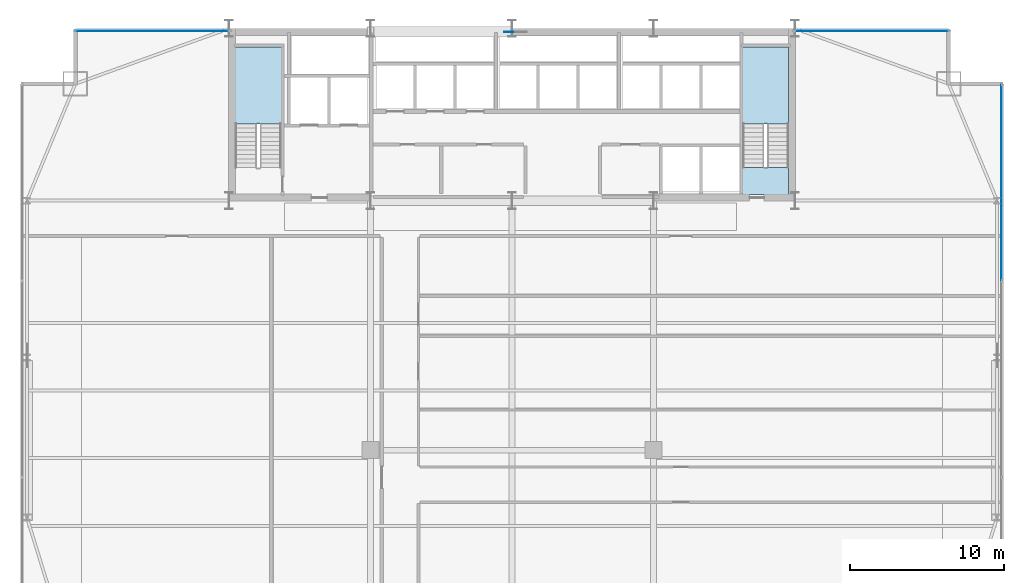
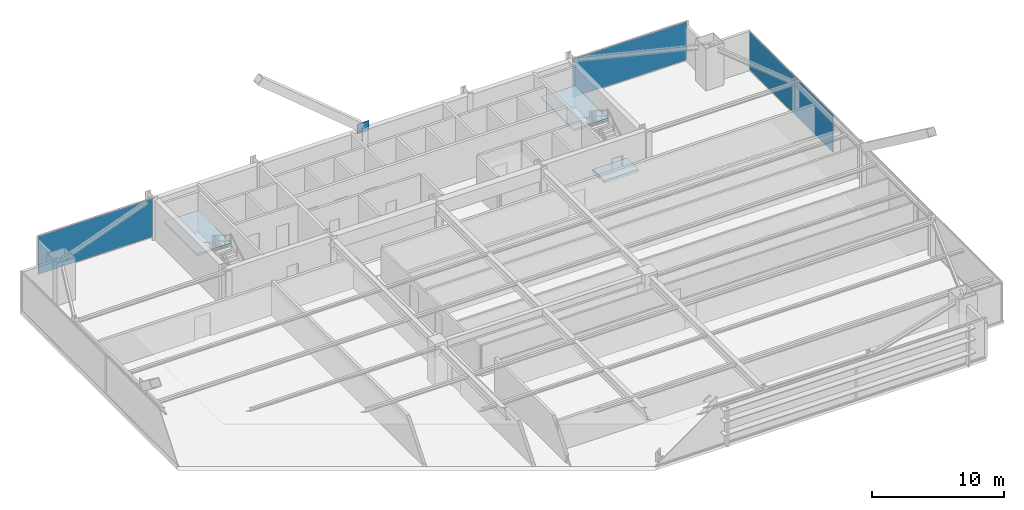
# One storey, part 28 of 35: 4 plates, 3 slabs, 5 elements without a shape of their own.
"""IFC4 building model written with IfcOpenShell, lengths in metres."""

from ifc_helpers import new_model, si_unit, direction, frame, origin, origin_2d, place, context, subcontext, project, spatial, polyline, rectangle, outline, extrude, source, transform, mapped, material, layer, layer_set, type_object, type_shapes, element, aggregate, save


model = new_model("IFC4")

# Units and contexts
model_context = context("Model", 3, precision=1e-05, world=origin(), true_north=direction((0.0, 1.0)))
body_context = subcontext(model_context, "Body", "Model", "MODEL_VIEW")
ifc_project = project(units=[si_unit("LENGTHUNIT", "METRE"), si_unit("AREAUNIT", "SQUARE_METRE"), si_unit("VOLUMEUNIT", "CUBIC_METRE"), si_unit("PLANEANGLEUNIT", "RADIAN"), si_unit("MASSUNIT", "GRAM", prefix="KILO")], contexts=[model_context])

# Site, building, storey
site_placement = place(None, origin())
site = spatial("IfcSite", under=ifc_project, at=site_placement, CompositionType="ELEMENT")
building_placement = place(site_placement, origin())
building = spatial("IfcBuilding", under=site, at=building_placement, Name="Varnel Quay Broadcast Tower", CompositionType="ELEMENT")
storey_placement = place(building_placement, frame((0.0, 0.0, 31.5)))
storey = spatial("IfcBuildingStorey", under=building, at=storey_placement, Name="L06", CompositionType="ELEMENT", Elevation=31.5)

# Slab
ifc_material_1 = material(Name="Concrete CSA A23.3 C50/60", Category="concrete")
ifc_layer_1 = layer(ifc_material_1, 0.25, Name="Concrete CSA A23.3 C50/60")
ifc_layer_set_1 = layer_set([ifc_layer_1], Name="Concrete CSA A23.3 C50/60")
slab_type_1 = type_object("IfcSlabType", Name="Slab_StairFloorLanding250", PredefinedType="FLOOR", material=ifc_layer_set_1)
slab_1_placement = place(storey_placement, frame((0.0, 0.0, -0.25)))
element("IfcSlab", 1, at=slab_1_placement, inside=storey, type_object=slab_type_1, Name="L06 ST-02 Structural Floor Landing Slab", PredefinedType="FLOOR", context=body_context, shape_type="SweptSolid", body=[
    extrude(outline(polyline([(52.0, 36.0), (52.0, 37.75), (49.0, 37.75), (49.0, 36.0), (52.0, 36.0)])), origin(), (0.0, 0.0, 1.0), 0.25),
])

# Stair, slab
ifc_material_2 = material(Name="Precast Structural Concrete C40/50", Category="concrete")
stair_type_1 = type_object("IfcStairType", Name="Stair_ST-01", PredefinedType="HALF_TURN_STAIR", material=ifc_material_2)
stair_1_placement = place(storey_placement, origin())
stair_1 = element("IfcStair", 2, at=stair_1_placement, inside=storey, type_object=stair_type_1, Name="L06 West Core Exit Stair 1", PredefinedType="HALF_TURN_STAIR")
ifc_layer_2 = layer(ifc_material_2, 0.199951171875, Name="Precast Structural Concrete C40/50")
ifc_layer_set_2 = layer_set([ifc_layer_2], Name="Precast Structural Concrete C40/50")
slab_type_2 = type_object("IfcSlabType", Name="Slab_StairLanding200", PredefinedType="LANDING", material=ifc_layer_set_2)
slab_2_placement = place(storey_placement, frame((0.0, 0.0, 1.75)))
slab_2 = element("IfcSlab", 3, at=slab_2_placement, type_object=slab_type_2, Name="ST-01 landing 1", PredefinedType="LANDING", context=body_context, shape_type="SweptSolid", body=[
    extrude(outline(polyline([(19.0, 40.60009765625), (19.0, 45.60009765625), (16.0, 45.60009765625), (16.0, 40.60009765625), (19.0, 40.60009765625)])), origin(), (0.0, 0.0, 1.0), 0.199951171875),
])
aggregate(stair_1, [slab_2])

stair_type_2 = type_object("IfcStairType", Name="Stair_ST-02", PredefinedType="HALF_TURN_STAIR", material=ifc_material_2)
stair_2_placement = place(storey_placement, origin())
stair_2 = element("IfcStair", 4, at=stair_2_placement, inside=storey, type_object=stair_type_2, Name="L06 East Core Exit Stair 2", PredefinedType="HALF_TURN_STAIR")
slab_3_placement = place(storey_placement, frame((0.0, 0.0, 1.75)))
slab_3 = element("IfcSlab", 5, at=slab_3_placement, type_object=slab_type_2, Name="ST-02 landing 1", PredefinedType="LANDING", context=body_context, shape_type="SweptSolid", body=[
    extrude(outline(polyline([(52.0, 40.60009765625), (52.0, 45.60009765625), (49.0, 45.60009765625), (49.0, 40.60009765625), (52.0, 40.60009765625)])), origin(), (0.0, 0.0, 1.0), 0.199951171875),
])
aggregate(stair_2, [slab_3])

# Plate
ifc_material_3 = material(Name="Structural Steel CSA G40.21 350WT", Category="steel")
ifc_layer_3 = layer(ifc_material_3, 0.0400390625, Name="Structural Steel CSA G40.21 350WT")
ifc_layer_set_3 = layer_set([ifc_layer_3], Name="Structural Steel CSA G40.21 350WT")
plate_type_1 = type_object("IfcPlateType", Name="Plate_MegaGusset", PredefinedType="USERDEFINED", material=ifc_layer_set_3)
shared_shape_1 = source(origin(), body_context, "Body", "SweptSolid", [
    extrude(rectangle(XDim=1.02587890625, YDim=0.0400390625, at=origin_2d()), origin(), (0.0, 0.0, 1.0), 0.927001953125),
])
type_shapes(plate_type_1, [shared_shape_1])
plate_1_placement = place(storey_placement, frame((34.0, 46.580078125, 3.3115234375), z_axis=(0.0, 0.0, 1.0), x_axis=(1.0, 0.0, 0.0)))
element("IfcPlate", 6, at=plate_1_placement, inside=storey, type_object=plate_type_1, Name="Zone 1 Mega-Brace N-CT1 Central X-Crossing Gusset Plate", ObjectType="GUSSET_PLATE", PredefinedType="USERDEFINED", context=body_context, shape_type="MappedRepresentation", body=[
    mapped(shared_shape_1, transform((0.0, 0.0, 0.0), x_axis=(1.0, 0.0, 0.0), y_axis=(0.0, 1.0, 0.0), z_axis=(0.0, 0.0, 1.0), scale=1.0)),
])

# Curtain wall, plate
ifc_material_4 = material(Name="Anodised Bronze Aluminium 6063-T6", Category="aluminium")
ifc_layer_4 = layer(ifc_material_4, 0.18994140625, Name="Anodised Bronze Aluminium 6063-T6")
ifc_layer_set_4 = layer_set([ifc_layer_4], Name="Anodised Bronze Aluminium 6063-T6")
curtain_wall_type = type_object("IfcCurtainWallType", Name="CW_LowerTower", PredefinedType="NOTDEFINED", material=ifc_layer_set_4)
curtain_wall_1_placement = place(storey_placement, origin())
curtain_wall_1 = element("IfcCurtainWall", 7, at=curtain_wall_1_placement, inside=storey, type_object=curtain_wall_type, Name="L06 East Unitised Curtain Wall", PredefinedType="NOTDEFINED")
ifc_material_5 = material(Name="Insulated Bronze Spandrel Glass", Category="glass")
ifc_layer_5 = layer(ifc_material_5, 0.031982421875, Name="Insulated Bronze Spandrel Glass")
ifc_layer_set_5 = layer_set([ifc_layer_5], Name="Insulated Bronze Spandrel Glass")
plate_type_2 = type_object("IfcPlateType", Name="PanelSp_CWS-02", PredefinedType="CURTAIN_PANEL", material=ifc_layer_set_5)
shared_shape_2 = source(origin(), body_context, "Body", "SweptSolid", [
    extrude(rectangle(XDim=12.695068359375, YDim=0.031982421875, at=origin_2d()), origin(), (0.0, 0.0, 1.0), 3.530029296875),
])
type_shapes(plate_type_2, [shared_shape_2])
plate_2_placement = place(storey_placement, frame((65.85009765625, 36.782470703125, 0.06005859375), z_axis=(0.0, 0.0, 1.0), x_axis=(0.0, 1.0, 0.0)))
plate_2 = element("IfcPlate", 8, at=plate_2_placement, type_object=plate_type_2, Name="CWS-02 panel 3.1", PredefinedType="CURTAIN_PANEL", context=body_context, shape_type="MappedRepresentation", body=[
    mapped(shared_shape_2, transform((0.0, 0.0, 0.0), x_axis=(1.0, 0.0, 0.0), y_axis=(0.0, 1.0, 0.0), z_axis=(0.0, 0.0, 1.0), scale=1.0)),
])
aggregate(curtain_wall_1, [plate_2])

curtain_wall_2_placement = place(storey_placement, origin())
curtain_wall_2 = element("IfcCurtainWall", 9, at=curtain_wall_2_placement, inside=storey, type_object=curtain_wall_type, Name="L06 NW Wing Curtain Wall", PredefinedType="NOTDEFINED")
ifc_material_6 = material(Name="Triple-Glazed Bronze Low-E Architectural Glass", Category="glass")
ifc_layer_6 = layer(ifc_material_6, 0.031982421875, Name="Triple-Glazed Bronze Low-E Architectural Glass")
ifc_layer_set_6 = layer_set([ifc_layer_6], Name="Triple-Glazed Bronze Low-E Architectural Glass")
plate_type_3 = type_object("IfcPlateType", Name="Panel_CWS-02", PredefinedType="CURTAIN_PANEL", material=ifc_layer_set_6)
shared_shape_3 = source(origin(), body_context, "Body", "SweptSolid", [
    extrude(rectangle(XDim=10.0400390625, YDim=0.031982421875, at=origin_2d()), origin(), (0.0, 0.0, 1.0), 3.530029296875),
])
type_shapes(plate_type_3, [shared_shape_3])
plate_3_placement = place(storey_placement, frame((10.610107421875, 46.64990234375, 0.06005859375), z_axis=(0.0, 0.0, 1.0), x_axis=(1.0, 0.0, 0.0)))
plate_3 = element("IfcPlate", 10, at=plate_3_placement, type_object=plate_type_3, Name="CWS-02 panel 1.1", PredefinedType="CURTAIN_PANEL", context=body_context, shape_type="MappedRepresentation", body=[
    mapped(shared_shape_3, transform((0.0, 0.0, 0.0), x_axis=(1.0, 0.0, 0.0), y_axis=(0.0, 1.0, 0.0), z_axis=(0.0, 0.0, 1.0), scale=1.0)),
])
aggregate(curtain_wall_2, [plate_3])

curtain_wall_3_placement = place(storey_placement, origin())
curtain_wall_3 = element("IfcCurtainWall", 11, at=curtain_wall_3_placement, inside=storey, type_object=curtain_wall_type, Name="L06 NE Wing Curtain Wall", PredefinedType="NOTDEFINED")
plate_4_placement = place(storey_placement, frame((57.389892578125, 46.64990234375, 0.06005859375), z_axis=(0.0, 0.0, 1.0), x_axis=(1.0, 0.0, 0.0)))
plate_4 = element("IfcPlate", 12, at=plate_4_placement, type_object=plate_type_3, Name="CWS-02 panel 1.1", PredefinedType="CURTAIN_PANEL", context=body_context, shape_type="MappedRepresentation", body=[
    mapped(shared_shape_3, transform((0.0, 0.0, 0.0), x_axis=(1.0, 0.0, 0.0), y_axis=(0.0, 1.0, 0.0), z_axis=(0.0, 0.0, 1.0), scale=1.0)),
])
aggregate(curtain_wall_3, [plate_4])

save(model, "model.ifc")
